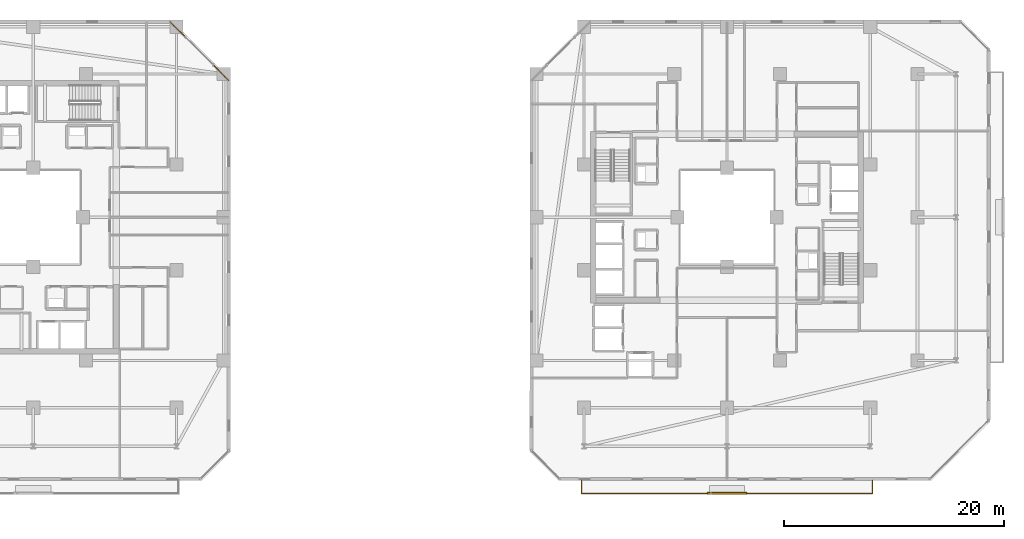
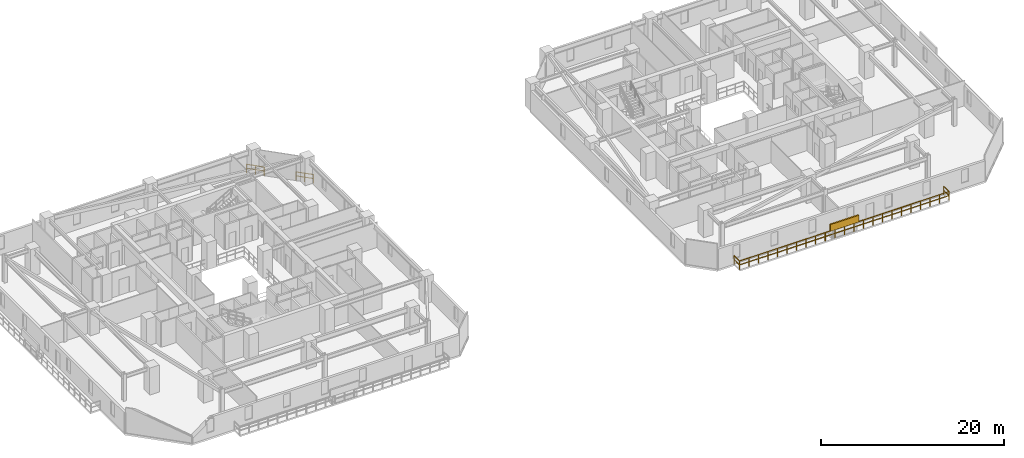
# One storey, part 31 of 33: 3 railings, 1 shading device.
"""IFC4 building model written with IfcOpenShell, lengths in metres."""

from ifc_helpers import new_model, si_unit, direction, frame, origin, origin_2d, place, context, subcontext, project, spatial, rectangle, extrude, material, type_object, element, save


model = new_model("IFC4")

# Units and contexts
model_context = context("Model", 3, precision=1e-05, world=origin(), true_north=direction((0.0, 1.0)))
body_context = subcontext(model_context, "Body", "Model", "MODEL_VIEW")
ifc_project = project(units=[si_unit("LENGTHUNIT", "METRE"), si_unit("AREAUNIT", "SQUARE_METRE"), si_unit("VOLUMEUNIT", "CUBIC_METRE"), si_unit("PLANEANGLEUNIT", "RADIAN"), si_unit("MASSUNIT", "GRAM", prefix="KILO")], contexts=[model_context])

# Site, building, storey
site_placement = place(None, origin())
site = spatial("IfcSite", under=ifc_project, at=site_placement, CompositionType="ELEMENT")
building_placement = place(site_placement, origin())
building = spatial("IfcBuilding", under=site, at=building_placement, Name="Thornwick Lancets Civic Towers", CompositionType="ELEMENT")
storey_placement = place(building_placement, frame((0.0, 0.0, 130.5)))
storey = spatial("IfcBuildingStorey", under=building, at=storey_placement, Name="L34", CompositionType="ELEMENT", Elevation=130.5)

# Railings
ifc_material_1 = material(Name="Terracotta-capped laminated glass balustrade S355", Category="masonry")
railing_type = type_object("IfcRailingType", Name="RAIL_TERR_GUARD", PredefinedType="GUARDRAIL", material=ifc_material_1)
for number, where, name in (
    (1, (43.255615234375, 39.423583984375, 0.0), "L34 Tower A Chamfer Spandrel Guard E3-1"),
    (2, (39.323486328125, 43.355712890625, 0.0), "L34 Tower A Chamfer Spandrel Guard E3-2"),
):
    element("IfcRailing", number, at=place(storey_placement, frame(where)), inside=storey, type_object=railing_type, Name=name, PredefinedType="GUARDRAIL", context=body_context, shape_type="SweptSolid", body=[
        extrude(rectangle(XDim=0.048095703125, YDim=0.048095703125, at=origin_2d()), frame((0.0, 0.0, 1.1259765625), z_axis=(-0.707106781187, 0.707106781187, 0.0), x_axis=(-0.707106781187, -0.707106781187, 0.0)), (0.0, 0.0, 1.0), 1.979736328125),
        extrude(rectangle(XDim=0.0419921875, YDim=0.0419921875, at=origin_2d()), frame((-0.026611328125, 0.026611328125, 0.597900390625), z_axis=(-0.707106781187, 0.707106781187, 0.0), x_axis=(-0.707106781187, -0.707106781187, 0.0)), (0.0, 0.0, 1.0), 0.914794921875),
        extrude(rectangle(XDim=0.0419921875, YDim=0.0419921875, at=origin_2d()), frame((-0.7265625, 0.7265625, 0.597900390625), z_axis=(-0.707106781187, 0.707106781187, 0.0), x_axis=(-0.707106781187, -0.707106781187, 0.0)), (0.0, 0.0, 1.0), 0.914794921875),
        extrude(rectangle(XDim=0.0419921875, YDim=0.0419921875, at=origin_2d()), origin(), (0.0, 0.0, 1.0), 1.095703125),
        extrude(rectangle(XDim=0.0419921875, YDim=0.0419921875, at=origin_2d()), frame((-0.699951171875, 0.699951171875, 0.0)), (0.0, 0.0, 1.0), 1.095703125),
        extrude(rectangle(XDim=0.0419921875, YDim=0.0419921875, at=origin_2d()), frame((-1.39990234375, 1.39990234375, 0.0)), (0.0, 0.0, 1.0), 1.095703125),
    ])
railing_placement = place(storey_placement, frame((75.300048828125, 3.10009765625, 0.0)))
element("IfcRailing", 3, at=railing_placement, inside=storey, type_object=railing_type, Name="L34 Tower B Balcony Guard S", PredefinedType="GUARDRAIL", context=body_context, shape_type="SweptSolid", body=[
    extrude(rectangle(XDim=0.048095703125, YDim=0.048095703125, at=origin_2d()), frame((0.0, 0.0, 1.1259765625), z_axis=(0.0, -1.0, 0.0), x_axis=(1.0, 0.0, 0.0)), (0.0, 0.0, 1.0), 1.138916015625),
    extrude(rectangle(XDim=0.0419921875, YDim=0.0419921875, at=origin_2d()), frame((0.0, -0.03759765625, 0.597900390625), z_axis=(0.0, -1.0, 0.0), x_axis=(1.0, 0.0, 0.0)), (0.0, 0.0, 1.0), 1.09521484375),
    extrude(rectangle(XDim=0.048095703125, YDim=0.048095703125, at=origin_2d()), frame((0.03125, -1.170166015625, 1.1259765625), z_axis=(1.0, 0.0, 0.0), x_axis=(0.0, 1.0, 0.0)), (0.0, 0.0, 1.0), 26.33740234375),
    extrude(rectangle(XDim=0.0419921875, YDim=0.0419921875, at=origin_2d()), frame((0.03759765625, -1.170166015625, 0.597900390625), z_axis=(1.0, 0.0, 0.0), x_axis=(0.0, 1.0, 0.0)), (0.0, 0.0, 1.0), 1.125),
    extrude(rectangle(XDim=0.0419921875, YDim=0.0419921875, at=origin_2d()), frame((1.237548828125, -1.170166015625, 0.597900390625), z_axis=(1.0, 0.0, 0.0), x_axis=(0.0, 1.0, 0.0)), (0.0, 0.0, 1.0), 1.125),
    extrude(rectangle(XDim=0.0419921875, YDim=0.0419921875, at=origin_2d()), frame((2.4375, -1.170166015625, 0.597900390625), z_axis=(1.0, 0.0, 0.0), x_axis=(0.0, 1.0, 0.0)), (0.0, 0.0, 1.0), 1.125),
    extrude(rectangle(XDim=0.0419921875, YDim=0.0419921875, at=origin_2d()), frame((3.637451171875, -1.170166015625, 0.597900390625), z_axis=(1.0, 0.0, 0.0), x_axis=(0.0, 1.0, 0.0)), (0.0, 0.0, 1.0), 1.125),
    extrude(rectangle(XDim=0.0419921875, YDim=0.0419921875, at=origin_2d()), frame((4.83740234375, -1.170166015625, 0.597900390625), z_axis=(1.0, 0.0, 0.0), x_axis=(0.0, 1.0, 0.0)), (0.0, 0.0, 1.0), 1.125),
    extrude(rectangle(XDim=0.0419921875, YDim=0.0419921875, at=origin_2d()), frame((6.037353515625, -1.170166015625, 0.597900390625), z_axis=(1.0, 0.0, 0.0), x_axis=(0.0, 1.0, 0.0)), (0.0, 0.0, 1.0), 1.125),
    extrude(rectangle(XDim=0.0419921875, YDim=0.0419921875, at=origin_2d()), frame((7.237548828125, -1.170166015625, 0.597900390625), z_axis=(1.0, 0.0, 0.0), x_axis=(0.0, 1.0, 0.0)), (0.0, 0.0, 1.0), 1.125),
    extrude(rectangle(XDim=0.0419921875, YDim=0.0419921875, at=origin_2d()), frame((8.4375, -1.170166015625, 0.597900390625), z_axis=(1.0, 0.0, 0.0), x_axis=(0.0, 1.0, 0.0)), (0.0, 0.0, 1.0), 1.125),
    extrude(rectangle(XDim=0.0419921875, YDim=0.0419921875, at=origin_2d()), frame((9.637451171875, -1.170166015625, 0.597900390625), z_axis=(1.0, 0.0, 0.0), x_axis=(0.0, 1.0, 0.0)), (0.0, 0.0, 1.0), 1.125),
    extrude(rectangle(XDim=0.0419921875, YDim=0.0419921875, at=origin_2d()), frame((10.83740234375, -1.170166015625, 0.597900390625), z_axis=(1.0, 0.0, 0.0), x_axis=(0.0, 1.0, 0.0)), (0.0, 0.0, 1.0), 1.125),
    extrude(rectangle(XDim=0.0419921875, YDim=0.0419921875, at=origin_2d()), frame((12.037353515625, -1.170166015625, 0.597900390625), z_axis=(1.0, 0.0, 0.0), x_axis=(0.0, 1.0, 0.0)), (0.0, 0.0, 1.0), 1.125),
    extrude(rectangle(XDim=0.0419921875, YDim=0.0419921875, at=origin_2d()), frame((13.237548828125, -1.170166015625, 0.597900390625), z_axis=(1.0, 0.0, 0.0), x_axis=(0.0, 1.0, 0.0)), (0.0, 0.0, 1.0), 1.125),
    extrude(rectangle(XDim=0.0419921875, YDim=0.0419921875, at=origin_2d()), frame((14.4375, -1.170166015625, 0.597900390625), z_axis=(1.0, 0.0, 0.0), x_axis=(0.0, 1.0, 0.0)), (0.0, 0.0, 1.0), 1.125),
    extrude(rectangle(XDim=0.0419921875, YDim=0.0419921875, at=origin_2d()), frame((15.637451171875, -1.170166015625, 0.597900390625), z_axis=(1.0, 0.0, 0.0), x_axis=(0.0, 1.0, 0.0)), (0.0, 0.0, 1.0), 1.125),
    extrude(rectangle(XDim=0.0419921875, YDim=0.0419921875, at=origin_2d()), frame((16.83740234375, -1.170166015625, 0.597900390625), z_axis=(1.0, 0.0, 0.0), x_axis=(0.0, 1.0, 0.0)), (0.0, 0.0, 1.0), 1.125),
    extrude(rectangle(XDim=0.0419921875, YDim=0.0419921875, at=origin_2d()), frame((18.037353515625, -1.170166015625, 0.597900390625), z_axis=(1.0, 0.0, 0.0), x_axis=(0.0, 1.0, 0.0)), (0.0, 0.0, 1.0), 1.125),
    extrude(rectangle(XDim=0.0419921875, YDim=0.0419921875, at=origin_2d()), frame((19.2373046875, -1.170166015625, 0.597900390625), z_axis=(1.0, 0.0, 0.0), x_axis=(0.0, 1.0, 0.0)), (0.0, 0.0, 1.0), 1.125),
    extrude(rectangle(XDim=0.0419921875, YDim=0.0419921875, at=origin_2d()), frame((20.4375, -1.170166015625, 0.597900390625), z_axis=(1.0, 0.0, 0.0), x_axis=(0.0, 1.0, 0.0)), (0.0, 0.0, 1.0), 1.125),
    extrude(rectangle(XDim=0.0419921875, YDim=0.0419921875, at=origin_2d()), frame((21.637451171875, -1.170166015625, 0.597900390625), z_axis=(1.0, 0.0, 0.0), x_axis=(0.0, 1.0, 0.0)), (0.0, 0.0, 1.0), 1.125),
    extrude(rectangle(XDim=0.0419921875, YDim=0.0419921875, at=origin_2d()), frame((22.83740234375, -1.170166015625, 0.597900390625), z_axis=(1.0, 0.0, 0.0), x_axis=(0.0, 1.0, 0.0)), (0.0, 0.0, 1.0), 1.125),
    extrude(rectangle(XDim=0.0419921875, YDim=0.0419921875, at=origin_2d()), frame((24.037353515625, -1.170166015625, 0.597900390625), z_axis=(1.0, 0.0, 0.0), x_axis=(0.0, 1.0, 0.0)), (0.0, 0.0, 1.0), 1.125),
    extrude(rectangle(XDim=0.0419921875, YDim=0.0419921875, at=origin_2d()), frame((25.2373046875, -1.170166015625, 0.597900390625), z_axis=(1.0, 0.0, 0.0), x_axis=(0.0, 1.0, 0.0)), (0.0, 0.0, 1.0), 1.125),
    extrude(rectangle(XDim=0.048095703125, YDim=0.048095703125, at=origin_2d()), frame((26.39990234375, -1.138916015625, 1.1259765625), z_axis=(0.0, 1.0, 0.0), x_axis=(-1.0, 0.0, 0.0)), (0.0, 0.0, 1.0), 1.138916015625),
    extrude(rectangle(XDim=0.0419921875, YDim=0.0419921875, at=origin_2d()), frame((26.39990234375, -1.132568359375, 0.597900390625), z_axis=(0.0, 1.0, 0.0), x_axis=(-1.0, 0.0, 0.0)), (0.0, 0.0, 1.0), 1.09521484375),
    extrude(rectangle(XDim=0.0419921875, YDim=0.0419921875, at=origin_2d()), origin(), (0.0, 0.0, 1.0), 1.095703125),
    extrude(rectangle(XDim=0.0419921875, YDim=0.0419921875, at=origin_2d()), frame((0.0, -1.170166015625, 0.0)), (0.0, 0.0, 1.0), 1.095703125),
    extrude(rectangle(XDim=0.0419921875, YDim=0.0419921875, at=origin_2d()), frame((1.199951171875, -1.170166015625, 0.0)), (0.0, 0.0, 1.0), 1.095703125),
    extrude(rectangle(XDim=0.0419921875, YDim=0.0419921875, at=origin_2d()), frame((2.39990234375, -1.170166015625, 0.0)), (0.0, 0.0, 1.0), 1.095703125),
    extrude(rectangle(XDim=0.0419921875, YDim=0.0419921875, at=origin_2d()), frame((3.60009765625, -1.170166015625, 0.0)), (0.0, 0.0, 1.0), 1.095703125),
    extrude(rectangle(XDim=0.0419921875, YDim=0.0419921875, at=origin_2d()), frame((4.800048828125, -1.170166015625, 0.0)), (0.0, 0.0, 1.0), 1.095703125),
    extrude(rectangle(XDim=0.0419921875, YDim=0.0419921875, at=origin_2d()), frame((6.0, -1.170166015625, 0.0)), (0.0, 0.0, 1.0), 1.095703125),
    extrude(rectangle(XDim=0.0419921875, YDim=0.0419921875, at=origin_2d()), frame((7.199951171875, -1.170166015625, 0.0)), (0.0, 0.0, 1.0), 1.095703125),
    extrude(rectangle(XDim=0.0419921875, YDim=0.0419921875, at=origin_2d()), frame((8.39990234375, -1.170166015625, 0.0)), (0.0, 0.0, 1.0), 1.095703125),
    extrude(rectangle(XDim=0.0419921875, YDim=0.0419921875, at=origin_2d()), frame((9.599853515625, -1.170166015625, 0.0)), (0.0, 0.0, 1.0), 1.095703125),
    extrude(rectangle(XDim=0.0419921875, YDim=0.0419921875, at=origin_2d()), frame((10.800048828125, -1.170166015625, 0.0)), (0.0, 0.0, 1.0), 1.095703125),
    extrude(rectangle(XDim=0.0419921875, YDim=0.0419921875, at=origin_2d()), frame((12.0, -1.170166015625, 0.0)), (0.0, 0.0, 1.0), 1.095703125),
    extrude(rectangle(XDim=0.0419921875, YDim=0.0419921875, at=origin_2d()), frame((13.199951171875, -1.170166015625, 0.0)), (0.0, 0.0, 1.0), 1.095703125),
    extrude(rectangle(XDim=0.0419921875, YDim=0.0419921875, at=origin_2d()), frame((14.39990234375, -1.170166015625, 0.0)), (0.0, 0.0, 1.0), 1.095703125),
    extrude(rectangle(XDim=0.0419921875, YDim=0.0419921875, at=origin_2d()), frame((15.599853515625, -1.170166015625, 0.0)), (0.0, 0.0, 1.0), 1.095703125),
    extrude(rectangle(XDim=0.0419921875, YDim=0.0419921875, at=origin_2d()), frame((16.800048828125, -1.170166015625, 0.0)), (0.0, 0.0, 1.0), 1.095703125),
    extrude(rectangle(XDim=0.0419921875, YDim=0.0419921875, at=origin_2d()), frame((18.0, -1.170166015625, 0.0)), (0.0, 0.0, 1.0), 1.095703125),
    extrude(rectangle(XDim=0.0419921875, YDim=0.0419921875, at=origin_2d()), frame((19.199951171875, -1.170166015625, 0.0)), (0.0, 0.0, 1.0), 1.095703125),
    extrude(rectangle(XDim=0.0419921875, YDim=0.0419921875, at=origin_2d()), frame((20.39990234375, -1.170166015625, 0.0)), (0.0, 0.0, 1.0), 1.095703125),
    extrude(rectangle(XDim=0.0419921875, YDim=0.0419921875, at=origin_2d()), frame((21.599853515625, -1.170166015625, 0.0)), (0.0, 0.0, 1.0), 1.095703125),
    extrude(rectangle(XDim=0.0419921875, YDim=0.0419921875, at=origin_2d()), frame((22.7998046875, -1.170166015625, 0.0)), (0.0, 0.0, 1.0), 1.095703125),
    extrude(rectangle(XDim=0.0419921875, YDim=0.0419921875, at=origin_2d()), frame((24.0, -1.170166015625, 0.0)), (0.0, 0.0, 1.0), 1.095703125),
    extrude(rectangle(XDim=0.0419921875, YDim=0.0419921875, at=origin_2d()), frame((25.199951171875, -1.170166015625, 0.0)), (0.0, 0.0, 1.0), 1.095703125),
    extrude(rectangle(XDim=0.0419921875, YDim=0.0419921875, at=origin_2d()), frame((26.39990234375, -1.170166015625, 0.0)), (0.0, 0.0, 1.0), 1.095703125),
    extrude(rectangle(XDim=0.0419921875, YDim=0.0419921875, at=origin_2d()), frame((26.39990234375, 0.0, 0.0)), (0.0, 0.0, 1.0), 1.095703125),
])

# Shading device
ifc_material_2 = material(Name="Extruded terracotta baguette solar screen", Category="masonry")
shading_device_type = type_object("IfcShadingDeviceType", Name="SHADE_BAGUETTE", PredefinedType="JALOUSIE", material=ifc_material_2)
shading_device_placement = place(storey_placement, frame((88.5, 1.93994140625, 1.1201171875), z_axis=(0.0, 0.0, 1.0), x_axis=(1.0, 0.0, 0.0)))
element("IfcShadingDevice", 4, at=shading_device_placement, inside=storey, type_object=shading_device_type, Name="L34 Tower B Terracotta Baguette Screen S", PredefinedType="JALOUSIE", context=body_context, shape_type="SweptSolid", body=[
    extrude(rectangle(XDim=3.60009765625, YDim=0.179931640625, at=origin_2d()), origin(), (0.0, 0.0, 1.0), 0.89990234375),
])

save(model, "model.ifc")
